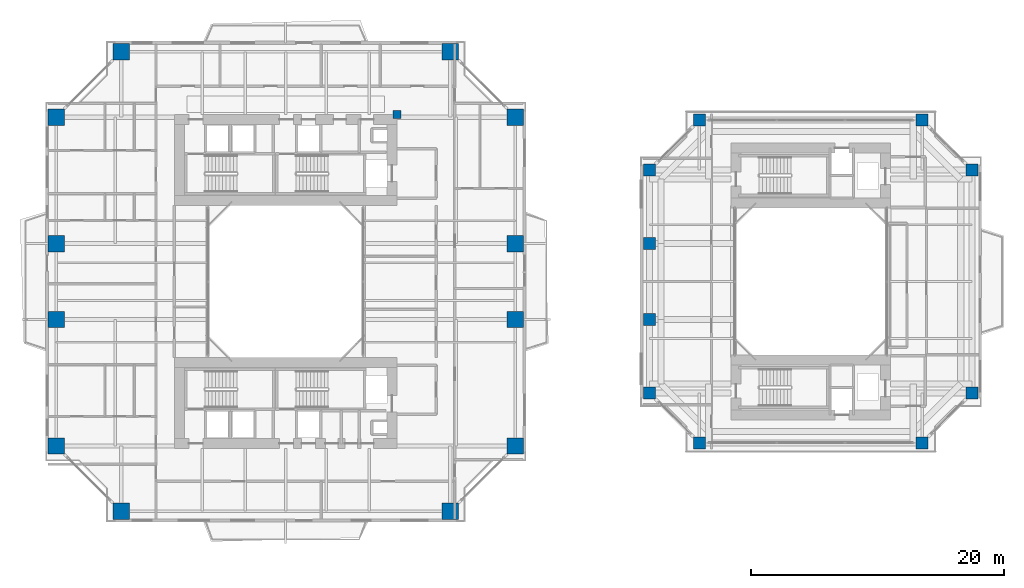
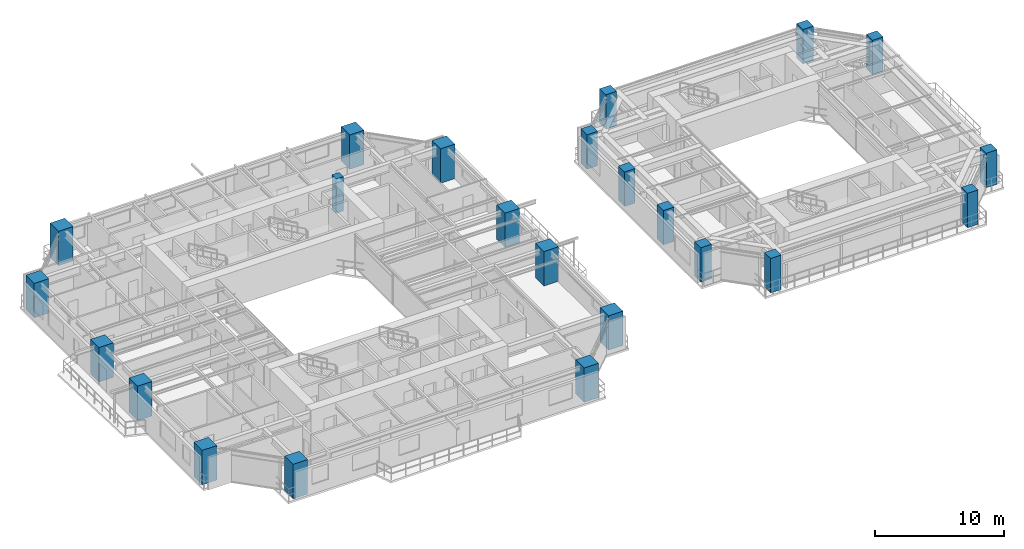
# One storey, part 1 of 23: 23 columns.
"""IFC4 building model written with IfcOpenShell, lengths in metres."""

from ifc_helpers import new_model, si_unit, direction, frame, origin, origin_2d, place, context, subcontext, project, spatial, rectangle, extrude, source, transform, mapped, material, material_profile, profile_set, type_object, element, save


model = new_model("IFC4")

# Units and contexts
model_context = context("Model", 3, precision=1e-05, world=origin(), true_north=direction((0.0, 1.0)))
body_context = subcontext(model_context, "Body", "Model", "MODEL_VIEW")
ifc_project = project(units=[si_unit("LENGTHUNIT", "METRE"), si_unit("AREAUNIT", "SQUARE_METRE"), si_unit("VOLUMEUNIT", "CUBIC_METRE"), si_unit("PLANEANGLEUNIT", "RADIAN"), si_unit("MASSUNIT", "GRAM", prefix="KILO"), si_unit("THERMODYNAMICTEMPERATUREUNIT", "KELVIN"), si_unit("POWERUNIT", "WATT")], contexts=[model_context])

# Site, building, storey
site_placement = place(None, origin())
site = spatial("IfcSite", under=ifc_project, at=site_placement, CompositionType="ELEMENT")
building_placement = place(site_placement, origin())
building = spatial("IfcBuilding", under=site, at=building_placement, Name="Qiaomeng Ring Towers", CompositionType="ELEMENT")
storey_placement = place(building_placement, frame((0.0, 0.0, 66.5)))
storey = spatial("IfcBuildingStorey", under=building, at=storey_placement, Name="L18", CompositionType="ELEMENT", Elevation=66.5)

# Columns
ifc_material_1 = material(Name="Concrete C50", Category="concrete")
ifc_material_profile_1 = material_profile(ifc_material_1, rectangle(XDim=0.64990234375, YDim=0.64990234375, at=origin_2d()), Name="RC COL 650x650")
ifc_profile_set_1 = profile_set([ifc_material_profile_1], Name="Concrete C50")
column_type_1 = type_object("IfcColumnType", Name="STR-PIL-650", PredefinedType="PILASTER", material=ifc_profile_set_1)
shared_shape_1 = source(origin(), body_context, "Body", "SweptSolid", [
    extrude(rectangle(XDim=0.64990234375, YDim=0.64990234375, at=origin_2d()), origin(), (0.0, 0.0, 1.0), 3.25),
])
column_placement = place(storey_placement, frame((27.800048828125, 36.199951171875, 0.0), z_axis=(0.0, 0.0, 1.0), x_axis=(1.0, 0.0, 0.0)))
element("IfcColumn", 1, at=column_placement, inside=storey, type_object=column_type_1, Name="L18 column STR-PIL-L18-N", PredefinedType="PILASTER", context=body_context, shape_type="MappedRepresentation", body=[
    mapped(shared_shape_1, transform((0.0, 0.0, 0.0), x_axis=(1.0, 0.0, 0.0), y_axis=(0.0, 1.0, 0.0), z_axis=(0.0, 0.0, 1.0), scale=1.0)),
])
ifc_material_2 = material(Name="Concrete C60", Category="concrete")
ifc_material_profile_2 = material_profile(ifc_material_2, rectangle(XDim=1.300048828125, YDim=1.300048828125, at=origin_2d()), Name="RC COL 1300x1300")
ifc_profile_set_2 = profile_set([ifc_material_profile_2], Name="Concrete C60")
column_type_2 = type_object("IfcColumnType", Name="STR-COL-1300", PredefinedType="COLUMN", material=ifc_profile_set_2)
shared_shape_2 = source(origin(), body_context, "Body", "SweptSolid", [
    extrude(rectangle(XDim=1.300048828125, YDim=1.300048828125, at=origin_2d()), origin(), (0.0, 0.0, 1.0), 3.25),
])
for number, where, z_axis, x_axis, name in (
    (2, (6.0, 4.85009765625, 0.0), (0.0, 0.0, 1.0), (1.0, 0.0, 0.0), "L18 column STR-COL-L18-T1-S1"),
    (3, (32.0, 4.85009765625, 0.0), (0.0, 0.0, 1.0), (1.0, 0.0, 0.0), "L18 column STR-COL-L18-T1-S2"),
    (4, (37.14990234375, 10.0, 0.0), (0.0, 0.0, 1.0), (1.0, 0.0, 0.0), "L18 column STR-COL-L18-T1-E1"),
    (5, (37.14990234375, 20.0, 0.0), (0.0, 0.0, 1.0), (1.0, 0.0, 0.0), "L18 column STR-COL-L18-T1-E2"),
    (6, (37.14990234375, 26.0, 0.0), (0.0, 0.0, 1.0), (1.0, 0.0, 0.0), "L18 column STR-COL-L18-T1-E3"),
    (7, (37.14990234375, 36.0, 0.0), (0.0, 0.0, 1.0), (1.0, 0.0, 0.0), "L18 column STR-COL-L18-T1-E4"),
    (8, (32.0, 41.14990234375, 0.0), (0.0, 0.0, 1.0), (1.0, 0.0, 0.0), "L18 column STR-COL-L18-T1-N2"),
    (9, (6.0, 41.14990234375, 0.0), (0.0, 0.0, 1.0), (1.0, 0.0, 0.0), "L18 column STR-COL-L18-T1-N1"),
    (10, (0.85009765625, 36.0, 0.0), (0.0, 0.0, 1.0), (1.0, 0.0, 0.0), "L18 column STR-COL-L18-T1-W4"),
    (11, (0.85009765625, 26.0, 0.0), (0.0, 0.0, 1.0), (1.0, 0.0, 0.0), "L18 column STR-COL-L18-T1-W3"),
    (12, (0.85009765625, 20.0, 0.0), (0.0, 0.0, 1.0), (1.0, 0.0, 0.0), "L18 column STR-COL-L18-T1-W2"),
    (13, (0.85009765625, 10.0, 0.0), (0.0, 0.0, 1.0), (1.0, 0.0, 0.0), "L18 column STR-COL-L18-T1-W1"),
):
    element("IfcColumn", number, at=place(storey_placement, frame(where, z_axis=z_axis, x_axis=x_axis)), inside=storey, type_object=column_type_2, Name=name, PredefinedType="COLUMN", context=body_context, shape_type="MappedRepresentation", body=[
        mapped(shared_shape_2, transform((0.0, 0.0, 0.0), x_axis=(1.0, 0.0, 0.0), y_axis=(0.0, 1.0, 0.0), z_axis=(0.0, 0.0, 1.0), scale=1.0)),
    ])
ifc_material_profile_3 = material_profile(ifc_material_2, rectangle(XDim=0.949951171875, YDim=0.949951171875, at=origin_2d()), Name="RC COL 950x950")
ifc_profile_set_3 = profile_set([ifc_material_profile_3], Name="Concrete C60")
column_type_3 = type_object("IfcColumnType", Name="STR-COL-950-C60", PredefinedType="COLUMN", material=ifc_profile_set_3)
shared_shape_3 = source(origin(), body_context, "Body", "SweptSolid", [
    extrude(rectangle(XDim=0.949951171875, YDim=0.949951171875, at=origin_2d()), origin(), (0.0, 0.0, 1.0), 3.25),
])
for number, where, z_axis, x_axis, name in (
    (14, (51.699951171875, 10.25, 0.0), (0.0, 0.0, 1.0), (1.0, 0.0, 0.0), "L18 column STR-COL-L18-T2-S1"),
    (15, (69.300048828125, 10.25, 0.0), (0.0, 0.0, 1.0), (1.0, 0.0, 0.0), "L18 column STR-COL-L18-T2-S2"),
    (16, (73.25, 14.199951171875, 0.0), (0.0, 0.0, 1.0), (1.0, 0.0, 0.0), "L18 column STR-COL-L18-T2-E1"),
    (17, (73.25, 31.800048828125, 0.0), (0.0, 0.0, 1.0), (1.0, 0.0, 0.0), "L18 column STR-COL-L18-T2-E2"),
    (18, (69.300048828125, 35.75, 0.0), (0.0, 0.0, 1.0), (1.0, 0.0, 0.0), "L18 column STR-COL-L18-T2-N2"),
    (19, (51.699951171875, 35.75, 0.0), (0.0, 0.0, 1.0), (1.0, 0.0, 0.0), "L18 column STR-COL-L18-T2-N1"),
    (20, (47.75, 14.199951171875, 0.0), (0.0, 0.0, 1.0), (1.0, 0.0, 0.0), "L18 column STR-COL-L18-T2-W1"),
    (21, (47.75, 20.0, 0.0), (0.0, 0.0, 1.0), (1.0, 0.0, 0.0), "L18 column STR-COL-L18-T2-W2"),
    (22, (47.75, 26.0, 0.0), (0.0, 0.0, 1.0), (1.0, 0.0, 0.0), "L18 column STR-COL-L18-T2-W3"),
    (23, (47.75, 31.800048828125, 0.0), (0.0, 0.0, 1.0), (1.0, 0.0, 0.0), "L18 column STR-COL-L18-T2-W4"),
):
    element("IfcColumn", number, at=place(storey_placement, frame(where, z_axis=z_axis, x_axis=x_axis)), inside=storey, type_object=column_type_3, Name=name, PredefinedType="COLUMN", context=body_context, shape_type="MappedRepresentation", body=[
        mapped(shared_shape_3, transform((0.0, 0.0, 0.0), x_axis=(1.0, 0.0, 0.0), y_axis=(0.0, 1.0, 0.0), z_axis=(0.0, 0.0, 1.0), scale=1.0)),
    ])

save(model, "model.ifc")
